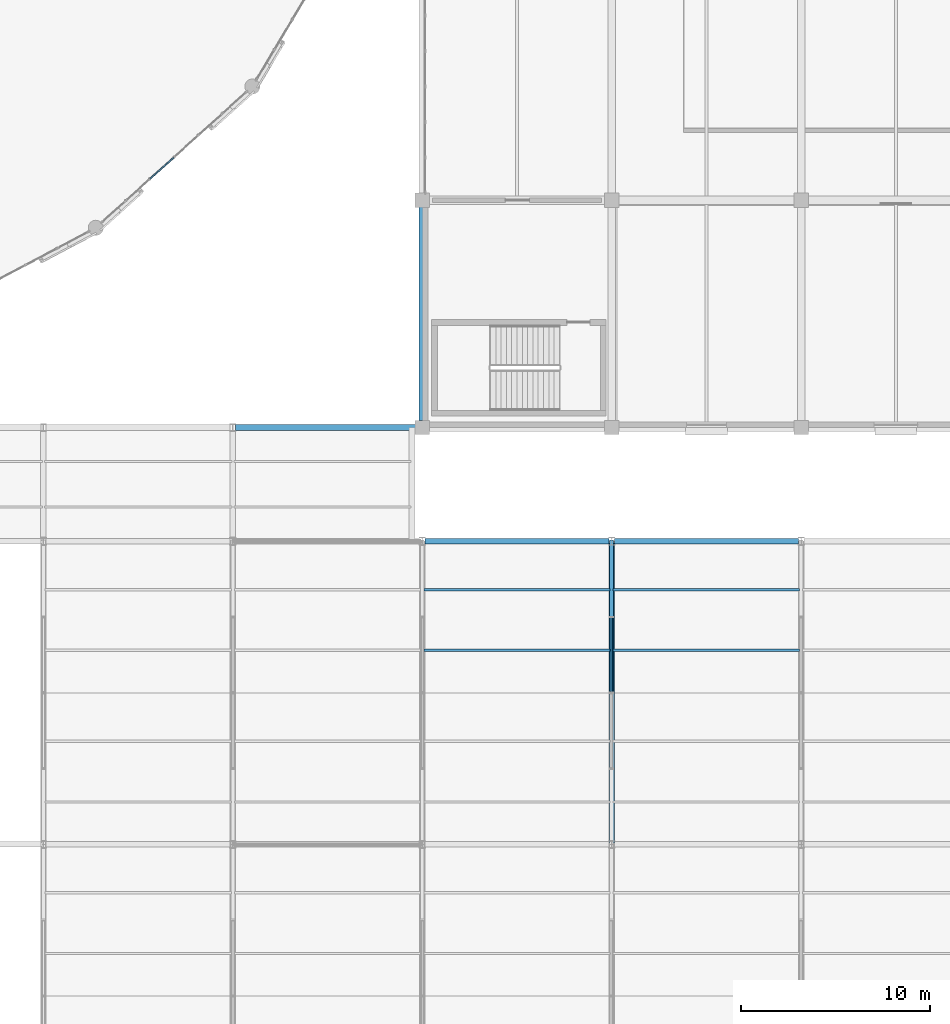
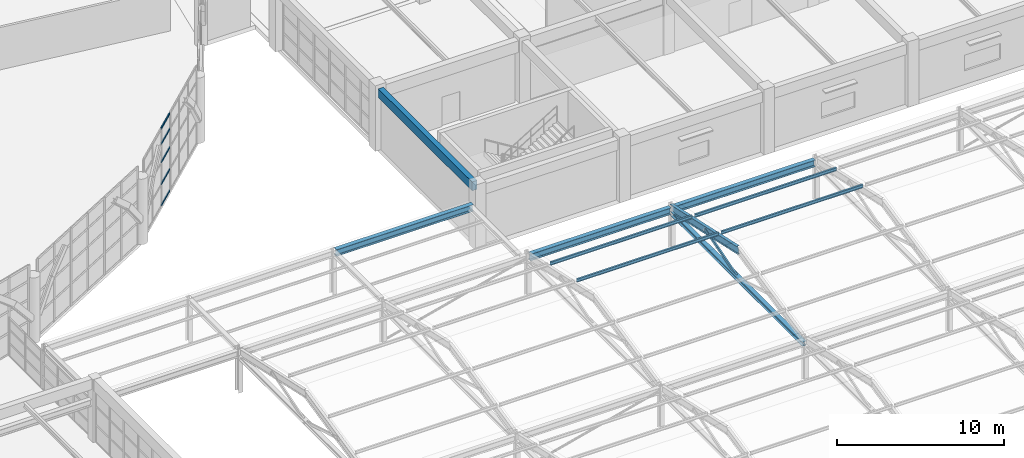
# One storey, part 32 of 109: 11 members, 5 beams, 1 element without a shape of its own.
"""IFC4 building model written with IfcOpenShell, lengths in metres."""

from ifc_helpers import new_model, si_unit, direction, frame, origin, origin_2d, place, context, subcontext, project, spatial, rectangle, hollow_rectangle, i_section, extrude, material, layer, layer_set, material_profile, profile_set, type_object, element, aggregate, save


model = new_model("IFC4")

# Units and contexts
model_context = context("Model", 3, precision=1e-05, world=origin(), true_north=direction((0.0, 1.0)))
body_context = subcontext(model_context, "Body", "Model", "MODEL_VIEW")
ifc_project = project(units=[si_unit("LENGTHUNIT", "METRE"), si_unit("AREAUNIT", "SQUARE_METRE"), si_unit("VOLUMEUNIT", "CUBIC_METRE"), si_unit("PLANEANGLEUNIT", "RADIAN"), si_unit("MASSUNIT", "GRAM", prefix="KILO")], contexts=[model_context])

# Site, building, storey
site_placement = place(None, origin())
site = spatial("IfcSite", under=ifc_project, at=site_placement, CompositionType="ELEMENT")
building_placement = place(site_placement, origin())
building = spatial("IfcBuilding", under=site, at=building_placement, Name="Kivolera Central Railway Station", CompositionType="ELEMENT")
storey_placement = place(building_placement, frame((0.0, 0.0, 9.60009765625)))
storey = spatial("IfcBuildingStorey", under=building, at=storey_placement, Name="L02", CompositionType="ELEMENT", Elevation=9.60009765625)

# Beams
ifc_material_1 = material(Name="Steel S355", Category="steel")
ifc_material_profile_1 = material_profile(ifc_material_1, i_section(OverallWidth=0.300048828125, OverallDepth=0.489990234375, WebThickness=0.011962890625, FlangeThickness=0.02294921875, FilletRadius=0.027099609375, at=origin_2d()), Name="HEA 500")
ifc_profile_set_1 = profile_set([ifc_material_profile_1], Name="Steel S355")
beam_type_1 = type_object("IfcBeamType", Name="BM-SHD-HEA500", PredefinedType="BEAM", material=ifc_profile_set_1)
for number, where, z_axis, x_axis, name in (
    (1, (118.136962890625, 48.0, 2.81982421875), (1.0, 0.0, 0.0), (0.0, 1.0, 0.0), "Train Shed Eave Girder D:12-13"),
    (2, (128.136962890625, 48.0, 2.81982421875), (1.0, 0.0, 0.0), (0.0, 1.0, 0.0), "Train Shed Eave Girder D:13-14"),
):
    element("IfcBeam", number, at=place(storey_placement, frame(where, z_axis=z_axis, x_axis=x_axis)), inside=storey, type_object=beam_type_1, Name=name, PredefinedType="BEAM", context=body_context, shape_type="SweptSolid", body=[
        extrude(i_section(OverallWidth=0.300048828125, OverallDepth=0.489990234375, WebThickness=0.011962890625, FlangeThickness=0.02294921875, FilletRadius=0.027099609375, at=origin_2d()), origin(), (0.0, 0.0, 1.0), 9.72607421875),
    ])
beam_1_placement = place(storey_placement, frame((108.136962890625, 54.0, 3.0048828125), z_axis=(1.0, 0.0, 0.0), x_axis=(0.0, 1.0, 0.0)))
element("IfcBeam", 3, at=beam_1_placement, inside=storey, type_object=beam_type_1, Name="Train Shed Eave Girder E:11-12", PredefinedType="BEAM", context=body_context, shape_type="SweptSolid", body=[
    extrude(i_section(OverallWidth=0.300048828125, OverallDepth=0.489990234375, WebThickness=0.011962890625, FlangeThickness=0.02294921875, FilletRadius=0.027099609375, at=origin_2d()), origin(), (0.0, 0.0, 1.0), 9.49609375),
])
ifc_material_profile_2 = material_profile(ifc_material_1, i_section(OverallWidth=0.209228515625, OverallDepth=0.533203125, WebThickness=0.010009765625, FlangeThickness=0.015625, FilletRadius=0.0126953125, at=origin_2d()), Name="UB 533x210x92")
ifc_profile_set_2 = profile_set([ifc_material_profile_2], Name="Steel S355")
beam_type_2 = type_object("IfcBeamType", Name="BM-SHD-UB533", PredefinedType="BEAM", material=ifc_profile_set_2)
beam_2_placement = place(storey_placement, frame((128.0, 40.0, 4.684814453125), z_axis=(0.0, 0.97664421653, -0.214862919829), x_axis=(-1.0, 0.0, 0.0)))
element("IfcBeam", 4, at=beam_2_placement, inside=storey, type_object=beam_type_2, Name="Train Shed Roof Truss Top Rafter CD-13N", PredefinedType="BEAM", context=body_context, shape_type="SweptSolid", body=[
    extrude(i_section(OverallWidth=0.209228515625, OverallDepth=0.533203125, WebThickness=0.010009765625, FlangeThickness=0.015625, FilletRadius=0.0126953125, at=origin_2d()), origin(), (0.0, 0.0, 1.0), 8.19140625),
])
ifc_material_2 = material(Name="Concrete C40/50", Category="concrete")
ifc_material_profile_3 = material_profile(ifc_material_2, rectangle(XDim=0.35009765625, YDim=0.64990234375, at=origin_2d()), Name="RC 350x650")
ifc_profile_set_3 = profile_set([ifc_material_profile_3], Name="Concrete C40/50")
beam_type_3 = type_object("IfcBeamType", Name="BM-SPN-RC650", PredefinedType="SPANDREL", material=ifc_profile_set_3)
beam_3_placement = place(storey_placement, frame((118.0, 54.366943359375, 4.19482421875), z_axis=(0.0, 1.0, 0.0), x_axis=(-1.0, 0.0, 0.0)))
element("IfcBeam", 5, at=beam_3_placement, inside=storey, type_object=beam_type_3, Name="L02 Wing Y-Beam 12:E-F", PredefinedType="SPANDREL", context=body_context, shape_type="SweptSolid", body=[
    extrude(rectangle(XDim=0.35009765625, YDim=0.64990234375, at=origin_2d()), origin(), (0.0, 0.0, 1.0), 11.26611328125),
])

# Curtain wall, members
ifc_material_3 = material(Name="Anodised aluminium", Category="aluminium")
ifc_layer = layer(ifc_material_3, 0.179931640625, Name="Anodised aluminium")
ifc_layer_set = layer_set([ifc_layer], Name="Anodised aluminium")
curtain_wall_type = type_object("IfcCurtainWallType", Name="CW-SYS-06", PredefinedType="NOTDEFINED", material=ifc_layer_set)
curtain_wall_placement = place(storey_placement, origin())
curtain_wall = element("IfcCurtainWall", 6, at=curtain_wall_placement, inside=storey, type_object=curtain_wall_type, Name="L02 Curtain Wall CW-L02-OVL-21", PredefinedType="NOTDEFINED")
ifc_material_profile_4 = material_profile(ifc_material_3, rectangle(XDim=0.070068359375, YDim=0.139892578125, at=origin_2d()), Name="ALU TRAN 70x140")
ifc_profile_set_4 = profile_set([ifc_material_profile_4], Name="Anodised aluminium")
member_type_1 = type_object("IfcMemberType", Name="CWM-TRN-1", PredefinedType="USERDEFINED", material=ifc_profile_set_4)
member_1_placement = place(storey_placement, frame((104.87548828125, 68.24853515625, 0.034912109375), z_axis=(-0.742396704206, -0.669960546289, 0.0), x_axis=(0.669960546289, -0.742396704206, 0.0)))
member_1 = element("IfcMember", 7, at=member_1_placement, type_object=member_type_1, Name="CW-06 transom 4.1", ObjectType="TRANSOM", PredefinedType="USERDEFINED", context=body_context, shape_type="SweptSolid", body=[
    extrude(rectangle(XDim=0.070068359375, YDim=0.139892578125, at=origin_2d()), origin(), (0.0, 0.0, 1.0), 1.651611328125),
])
member_2_placement = place(storey_placement, frame((104.87548828125, 68.24853515625, 1.599853515625), z_axis=(-0.742396704206, -0.669960546289, 0.0), x_axis=(0.669960546289, -0.742396704206, 0.0)))
member_2 = element("IfcMember", 8, at=member_2_placement, type_object=member_type_1, Name="CW-06 transom 4.2", ObjectType="TRANSOM", PredefinedType="USERDEFINED", context=body_context, shape_type="SweptSolid", body=[
    extrude(rectangle(XDim=0.070068359375, YDim=0.139892578125, at=origin_2d()), origin(), (0.0, 0.0, 1.0), 1.651611328125),
])
member_3_placement = place(storey_placement, frame((104.87548828125, 68.24853515625, 3.199951171875), z_axis=(-0.742396704206, -0.669960546289, 0.0), x_axis=(0.669960546289, -0.742396704206, 0.0)))
member_3 = element("IfcMember", 9, at=member_3_placement, type_object=member_type_1, Name="CW-06 transom 4.3", ObjectType="TRANSOM", PredefinedType="USERDEFINED", context=body_context, shape_type="SweptSolid", body=[
    extrude(rectangle(XDim=0.070068359375, YDim=0.139892578125, at=origin_2d()), origin(), (0.0, 0.0, 1.0), 1.651611328125),
])
member_4_placement = place(storey_placement, frame((104.87548828125, 68.24853515625, 4.5498046875), z_axis=(-0.742396704206, -0.669960546289, 0.0), x_axis=(0.669960546289, -0.742396704206, 0.0)))
member_4 = element("IfcMember", 10, at=member_4_placement, type_object=member_type_1, Name="CW-06 transom 4.4", ObjectType="TRANSOM", PredefinedType="USERDEFINED", context=body_context, shape_type="SweptSolid", body=[
    extrude(rectangle(XDim=0.070068359375, YDim=0.139892578125, at=origin_2d()), origin(), (0.0, 0.0, 1.0), 1.651611328125),
])
member_5_placement = place(storey_placement, frame((104.87548828125, 68.24853515625, 5.664794921875), z_axis=(-0.742396704206, -0.669960546289, 0.0), x_axis=(0.669960546289, -0.742396704206, 0.0)))
member_5 = element("IfcMember", 11, at=member_5_placement, type_object=member_type_1, Name="CW-06 transom 4.5", ObjectType="TRANSOM", PredefinedType="USERDEFINED", context=body_context, shape_type="SweptSolid", body=[
    extrude(rectangle(XDim=0.070068359375, YDim=0.139892578125, at=origin_2d()), origin(), (0.0, 0.0, 1.0), 1.651611328125),
])
aggregate(curtain_wall, [member_1, member_2, member_3, member_4, member_5])

# Members
ifc_material_profile_5 = material_profile(ifc_material_1, i_section(OverallWidth=0.300048828125, OverallDepth=0.300048828125, WebThickness=0.010986328125, FlangeThickness=0.01904296875, FilletRadius=0.027099609375, at=origin_2d()), Name="HEB 300")
ifc_profile_set_5 = profile_set([ifc_material_profile_5], Name="Steel S355")
member_type_2 = type_object("IfcMemberType", Name="MEM-CHD-HEB300", PredefinedType="CHORD", material=ifc_profile_set_5)
member_6_placement = place(storey_placement, frame((128.0, 32.080078125, 2.619873046875), z_axis=(0.0, 1.0, 0.0), x_axis=(-1.0, 0.0, 0.0)))
element("IfcMember", 12, at=member_6_placement, inside=storey, type_object=member_type_2, Name="Train Shed Roof Truss Bottom Tie Chord CD-13", PredefinedType="CHORD", context=body_context, shape_type="SweptSolid", body=[
    extrude(i_section(OverallWidth=0.300048828125, OverallDepth=0.300048828125, WebThickness=0.010986328125, FlangeThickness=0.01904296875, FilletRadius=0.027099609375, at=origin_2d()), origin(), (0.0, 0.0, 1.0), 15.83984375),
])
ifc_material_profile_6 = material_profile(ifc_material_1, i_section(OverallWidth=0.1201171875, OverallDepth=0.239990234375, WebThickness=0.006103515625, FlangeThickness=0.009765625, FilletRadius=0.014892578125, at=origin_2d()), Name="IPE 240")
ifc_profile_set_6 = profile_set([ifc_material_profile_6], Name="Steel S355")
member_type_3 = type_object("IfcMemberType", Name="MEM-PUR-IPE240", PredefinedType="PURLIN", material=ifc_profile_set_6)
for number, where, z_axis, x_axis, name in (
    (13, (118.080078125, 42.239990234375, 4.572021484375), (1.0, 0.0, 0.0), (0.0, 1.0, 0.0), "Train Shed Roof Purlin CD-12-N1"),
    (14, (118.080078125, 45.43994140625, 3.867919921875), (1.0, 0.0, 0.0), (0.0, 1.0, 0.0), "Train Shed Roof Purlin CD-12-N2"),
    (15, (128.080078125, 42.239990234375, 4.572021484375), (1.0, 0.0, 0.0), (0.0, 1.0, 0.0), "Train Shed Roof Purlin CD-13-N1"),
    (16, (128.080078125, 45.43994140625, 3.867919921875), (1.0, 0.0, 0.0), (0.0, 1.0, 0.0), "Train Shed Roof Purlin CD-13-N2"),
):
    element("IfcMember", number, at=place(storey_placement, frame(where, z_axis=z_axis, x_axis=x_axis)), inside=storey, type_object=member_type_3, Name=name, PredefinedType="PURLIN", context=body_context, shape_type="SweptSolid", body=[
        extrude(i_section(OverallWidth=0.1201171875, OverallDepth=0.239990234375, WebThickness=0.006103515625, FlangeThickness=0.009765625, FilletRadius=0.014892578125, at=origin_2d()), origin(), (0.0, 0.0, 1.0), 9.83984375),
    ])
ifc_material_profile_7 = material_profile(ifc_material_1, hollow_rectangle(XDim=0.10009765625, YDim=0.199951171875, WallThickness=0.010009765625, at=origin_2d()), Name="RHS 200x100x10")
ifc_profile_set_7 = profile_set([ifc_material_profile_7], Name="Steel S355")
member_type_4 = type_object("IfcMemberType", Name="MEM-STR-RHS200", PredefinedType="STRUT", material=ifc_profile_set_7)
member_7_placement = place(storey_placement, frame((128.0, 40.0, 2.619873046875), z_axis=(0.0, 0.958806377549, 0.284060434364), x_axis=(-1.0, 0.0, 0.0)))
element("IfcMember", 17, at=member_7_placement, inside=storey, type_object=member_type_4, Name="Train Shed Truss Web Strut CD-13-2", PredefinedType="STRUT", context=body_context, shape_type="SweptSolid", body=[
    extrude(hollow_rectangle(XDim=0.10009765625, YDim=0.199951171875, WallThickness=0.010009765625, at=origin_2d()), origin(), (0.0, 0.0, 1.0), 4.171875),
])

save(model, "model.ifc")
